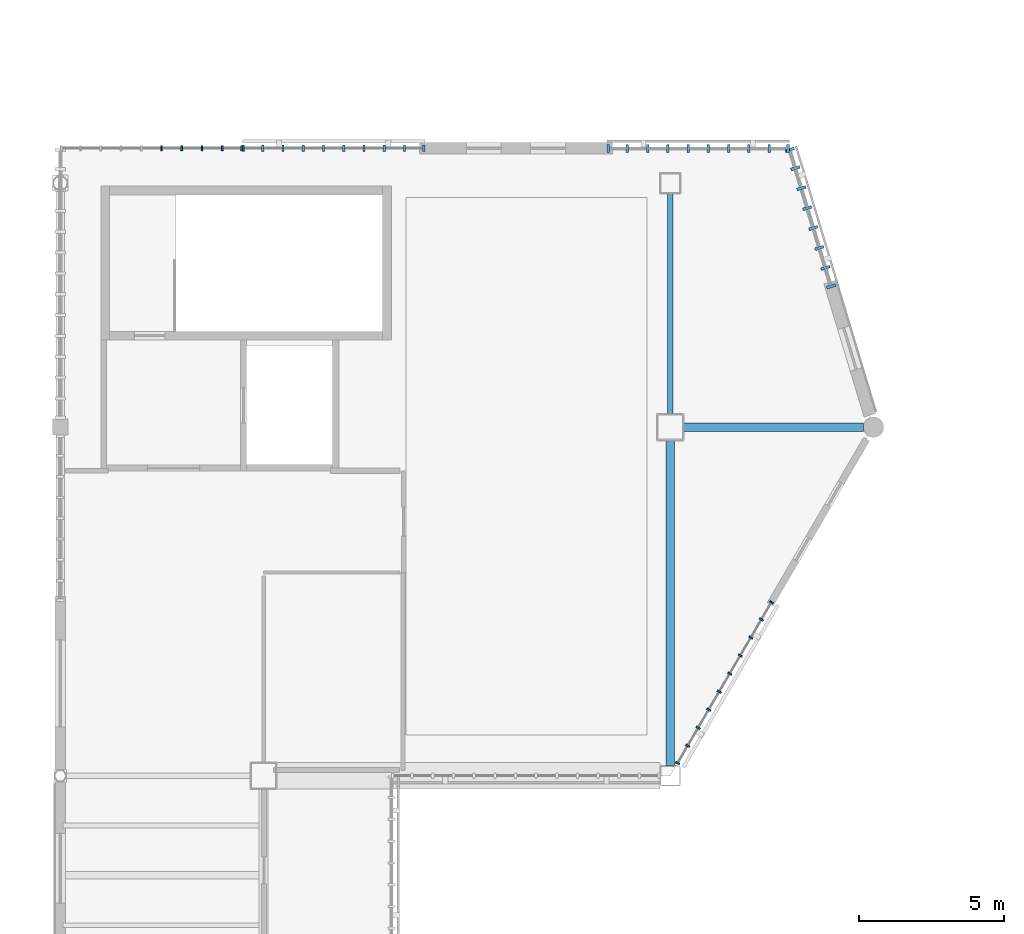
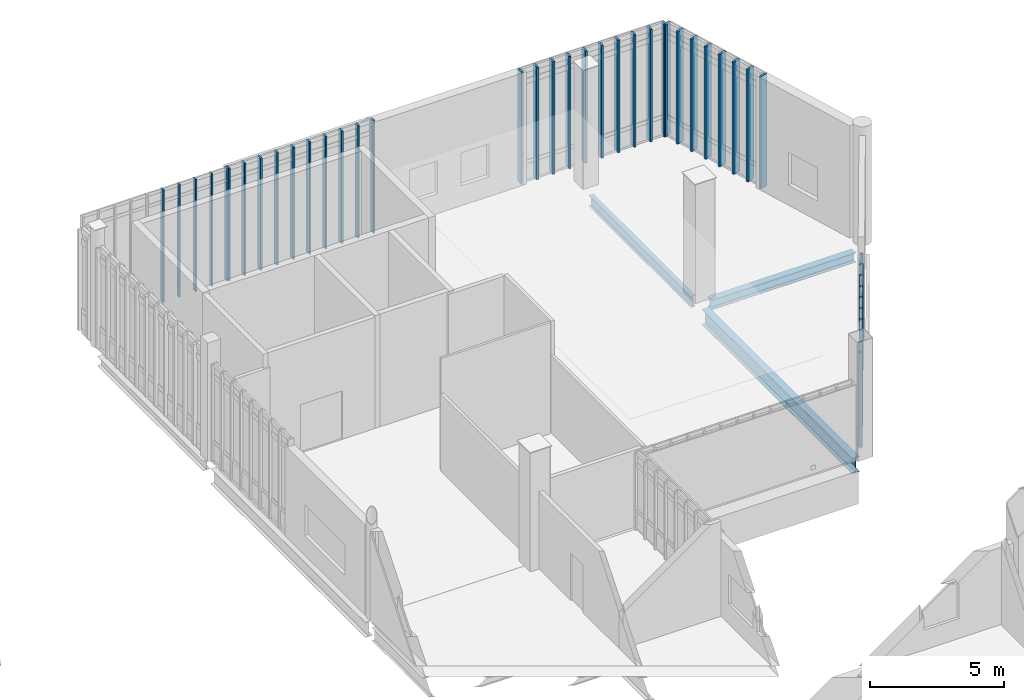
# One storey, part 42 of 135: 43 members, 3 beams, 5 elements without a shape of their own.
"""IFC4 building model written with IfcOpenShell, lengths in metres."""

from ifc_helpers import new_model, si_unit, direction, frame, origin, origin_2d, place, context, subcontext, project, spatial, rectangle, i_section, extrude, material, material_profile, profile_set, type_object, element, aggregate, save


model = new_model("IFC4")

# Units and contexts
model_context = context("Model", 3, precision=1e-05, world=origin(), true_north=direction((0.0, 1.0)))
body_context = subcontext(model_context, "Body", "Model", "MODEL_VIEW")
ifc_project = project(units=[si_unit("LENGTHUNIT", "METRE"), si_unit("AREAUNIT", "SQUARE_METRE"), si_unit("VOLUMEUNIT", "CUBIC_METRE"), si_unit("PLANEANGLEUNIT", "RADIAN"), si_unit("MASSUNIT", "GRAM", prefix="KILO")], contexts=[model_context])

# Site, building, storey
site_placement = place(None, origin())
site = spatial("IfcSite", under=ifc_project, at=site_placement, CompositionType="ELEMENT")
building_placement = place(site_placement, origin())
building = spatial("IfcBuilding", under=site, at=building_placement, Name="Larkvane Passage Sports Hall", CompositionType="ELEMENT")
storey_placement = place(building_placement, frame((0.0, 0.0, 16.800048828125)))
storey = spatial("IfcBuildingStorey", under=building, at=storey_placement, Name="L03", CompositionType="ELEMENT", Elevation=16.800048828125)

# Beams
ifc_material_1 = material(Name="Steel S355JR", Category="steel")
ifc_material_profile_1 = material_profile(ifc_material_1, i_section(OverallWidth=0.300048828125, OverallDepth=0.43994140625, WebThickness=0.010986328125, FlangeThickness=0.01806640625, FilletRadius=0.01806640625, at=origin_2d()), Name="H-440x300x11x18")
ifc_profile_set_1 = profile_set([ifc_material_profile_1], Name="Steel S355JR")
beam_type_1 = type_object("IfcBeamType", Name="BM-STL-H440", PredefinedType="BEAM", material=ifc_profile_set_1)
beam_1_placement = place(storey_placement, frame((146.050048828125, 75.60009765625, -0.56005859375), z_axis=(1.0, 0.0, 0.0), x_axis=(0.0, 1.0, 0.0)))
element("IfcBeam", 1, at=beam_1_placement, inside=storey, type_object=beam_type_1, Name="Girder BM5-X-L03-J-1004", PredefinedType="BEAM", context=body_context, shape_type="SweptSolid", body=[
    extrude(i_section(OverallWidth=0.300048828125, OverallDepth=0.43994140625, WebThickness=0.010986328125, FlangeThickness=0.01806640625, FilletRadius=0.01806640625, at=origin_2d()), origin(), (0.0, 0.0, 1.0), 6.199951171875),
])
ifc_material_2 = material(Name="Steel S460N", Category="steel")
ifc_material_profile_2 = material_profile(ifc_material_2, i_section(OverallWidth=0.300048828125, OverallDepth=0.699951171875, WebThickness=0.012939453125, FlangeThickness=0.02392578125, FilletRadius=0.02197265625, at=origin_2d()), Name="H-700x300x13x24")
ifc_profile_set_2 = profile_set([ifc_material_profile_2], Name="Steel S460N")
beam_type_2 = type_object("IfcBeamType", Name="BM-STL-H700", PredefinedType="BEAM", material=ifc_profile_set_2)
beam_2_placement = place(storey_placement, frame((145.60009765625, 63.949951171875, -0.68994140625), z_axis=(0.0, 1.0, 0.0), x_axis=(-1.0, 0.0, 0.0)))
element("IfcBeam", 2, at=beam_2_placement, inside=storey, type_object=beam_type_2, Name="Girder BM5-Y-L03-19-1051", PredefinedType="BEAM", context=body_context, shape_type="SweptSolid", body=[
    extrude(i_section(OverallWidth=0.300048828125, OverallDepth=0.699951171875, WebThickness=0.012939453125, FlangeThickness=0.02392578125, FilletRadius=0.02197265625, at=origin_2d()), origin(), (0.0, 0.0, 1.0), 11.199951171875),
])

# Curtain wall, members
ifc_material_3 = material(Name="Thermally broken aluminium and low-E glazing", Category="aluminium")
curtain_wall_type_1 = type_object("IfcCurtainWallType", Name="CW-CLINIC", PredefinedType="USERDEFINED", material=ifc_material_3)
curtain_wall_1_placement = place(storey_placement, origin())
curtain_wall_1 = element("IfcCurtainWall", 3, at=curtain_wall_1_placement, inside=storey, type_object=curtain_wall_type_1, Name="Curtain wall CW5-L03-107", ObjectType="UNITISED CURTAIN WALL", PredefinedType="USERDEFINED")
ifc_material_4 = material(Name="Anodised aluminium 6063-T6", Category="aluminium")
ifc_material_profile_3 = material_profile(ifc_material_4, rectangle(XDim=0.10009765625, YDim=0.320068359375, at=origin_2d()), Name="ALU-MUL-100x320")
ifc_profile_set_3 = profile_set([ifc_material_profile_3], Name="Anodised aluminium 6063-T6")
member_type_1 = type_object("IfcMemberType", Name="CW-MUL-100x320", PredefinedType="MULLION", material=ifc_profile_set_3)
member_1_placement = place(storey_placement, frame((149.71435546875, 85.152099609375, 0.0), z_axis=(0.0, 0.0, 1.0), x_axis=(0.289177016584, -0.957275641119, 0.0)))
member_1 = element("IfcMember", 4, at=member_1_placement, type_object=member_type_1, Name="CW-05 mullion 1", PredefinedType="MULLION", context=body_context, shape_type="SweptSolid", body=[
    extrude(rectangle(XDim=0.10009765625, YDim=0.320068359375, at=origin_2d()), origin(), (0.0, 0.0, 1.0), 5.099853515625),
])
member_2_placement = place(storey_placement, frame((149.9072265625, 84.514404296875, 0.0), z_axis=(0.0, 0.0, 1.0), x_axis=(0.289177016584, -0.957275641119, 0.0)))
member_2 = element("IfcMember", 5, at=member_2_placement, type_object=member_type_1, Name="CW-05 mullion 2", PredefinedType="MULLION", context=body_context, shape_type="SweptSolid", body=[
    extrude(rectangle(XDim=0.10009765625, YDim=0.320068359375, at=origin_2d()), origin(), (0.0, 0.0, 1.0), 5.099853515625),
])
member_3_placement = place(storey_placement, frame((150.1142578125, 83.82861328125, 0.0), z_axis=(0.0, 0.0, 1.0), x_axis=(0.289177016584, -0.957275641119, 0.0)))
member_3 = element("IfcMember", 6, at=member_3_placement, type_object=member_type_1, Name="CW-05 mullion 3", PredefinedType="MULLION", context=body_context, shape_type="SweptSolid", body=[
    extrude(rectangle(XDim=0.10009765625, YDim=0.320068359375, at=origin_2d()), origin(), (0.0, 0.0, 1.0), 5.099853515625),
])
member_4_placement = place(storey_placement, frame((150.321533203125, 83.142822265625, 0.0), z_axis=(0.0, 0.0, 1.0), x_axis=(0.289177016584, -0.957275641119, 0.0)))
member_4 = element("IfcMember", 7, at=member_4_placement, type_object=member_type_1, Name="CW-05 mullion 4", PredefinedType="MULLION", context=body_context, shape_type="SweptSolid", body=[
    extrude(rectangle(XDim=0.10009765625, YDim=0.320068359375, at=origin_2d()), origin(), (0.0, 0.0, 1.0), 5.099853515625),
])
member_5_placement = place(storey_placement, frame((150.528564453125, 82.45703125, 0.0), z_axis=(0.0, 0.0, 1.0), x_axis=(0.289177016584, -0.957275641119, 0.0)))
member_5 = element("IfcMember", 8, at=member_5_placement, type_object=member_type_1, Name="CW-05 mullion 5", PredefinedType="MULLION", context=body_context, shape_type="SweptSolid", body=[
    extrude(rectangle(XDim=0.10009765625, YDim=0.320068359375, at=origin_2d()), origin(), (0.0, 0.0, 1.0), 5.099853515625),
])
member_6_placement = place(storey_placement, frame((150.735595703125, 81.771484375, 0.0), z_axis=(0.0, 0.0, 1.0), x_axis=(0.289177016584, -0.957275641119, 0.0)))
member_6 = element("IfcMember", 9, at=member_6_placement, type_object=member_type_1, Name="CW-05 mullion 6", PredefinedType="MULLION", context=body_context, shape_type="SweptSolid", body=[
    extrude(rectangle(XDim=0.10009765625, YDim=0.320068359375, at=origin_2d()), origin(), (0.0, 0.0, 1.0), 5.099853515625),
])
member_7_placement = place(storey_placement, frame((150.94287109375, 81.085693359375, 0.0), z_axis=(0.0, 0.0, 1.0), x_axis=(0.289177016584, -0.957275641119, 0.0)))
member_7 = element("IfcMember", 10, at=member_7_placement, type_object=member_type_1, Name="CW-05 mullion 7", PredefinedType="MULLION", context=body_context, shape_type="SweptSolid", body=[
    extrude(rectangle(XDim=0.10009765625, YDim=0.320068359375, at=origin_2d()), origin(), (0.0, 0.0, 1.0), 5.099853515625),
])
member_8_placement = place(storey_placement, frame((151.135498046875, 80.44775390625, 0.0), z_axis=(0.0, 0.0, 1.0), x_axis=(0.289177016584, -0.957275641119, 0.0)))
member_8 = element("IfcMember", 11, at=member_8_placement, type_object=member_type_1, Name="CW-05 mullion 8", PredefinedType="MULLION", context=body_context, shape_type="SweptSolid", body=[
    extrude(rectangle(XDim=0.10009765625, YDim=0.320068359375, at=origin_2d()), origin(), (0.0, 0.0, 1.0), 5.099853515625),
])
aggregate(curtain_wall_1, [member_1, member_2, member_3, member_4, member_5, member_6, member_7, member_8])

curtain_wall_type_2 = type_object("IfcCurtainWallType", Name="CW-UNIT-COURT", PredefinedType="USERDEFINED", material=ifc_material_3)
curtain_wall_2_placement = place(storey_placement, origin())
curtain_wall_2 = element("IfcCurtainWall", 12, at=curtain_wall_2_placement, inside=storey, type_object=curtain_wall_type_2, Name="Curtain wall CW5-L03-108", ObjectType="UNITISED CURTAIN WALL", PredefinedType="USERDEFINED")
ifc_material_profile_4 = material_profile(ifc_material_4, rectangle(XDim=0.06005859375, YDim=0.14990234375, at=origin_2d()), Name="ALU-MUL-60x150")
ifc_profile_set_4 = profile_set([ifc_material_profile_4], Name="Anodised aluminium 6063-T6")
member_type_2 = type_object("IfcMemberType", Name="CW-MUL-60x150", PredefinedType="MULLION", material=ifc_profile_set_4)
member_9_placement = place(storey_placement, frame((149.0849609375, 69.573974609375, 0.0), z_axis=(0.0, 0.0, 1.0), x_axis=(-0.503867182467, -0.86378114267, 0.0)))
member_9 = element("IfcMember", 13, at=member_9_placement, type_object=member_type_2, Name="CW-01 mullion 1", PredefinedType="MULLION", context=body_context, shape_type="SweptSolid", body=[
    extrude(rectangle(XDim=0.06005859375, YDim=0.14990234375, at=origin_2d()), origin(), (0.0, 0.0, 1.0), 4.307861328125),
])
member_10_placement = place(storey_placement, frame((148.73779296875, 68.97900390625, 0.0), z_axis=(0.0, 0.0, 1.0), x_axis=(-0.503867182467, -0.86378114267, 0.0)))
member_10 = element("IfcMember", 14, at=member_10_placement, type_object=member_type_2, Name="CW-01 mullion 2", PredefinedType="MULLION", context=body_context, shape_type="SweptSolid", body=[
    extrude(rectangle(XDim=0.06005859375, YDim=0.14990234375, at=origin_2d()), origin(), (0.0, 0.0, 1.0), 4.307861328125),
])
member_11_placement = place(storey_placement, frame((148.37548828125, 68.357666015625, 0.0), z_axis=(0.0, 0.0, 1.0), x_axis=(-0.503867182467, -0.86378114267, 0.0)))
member_11 = element("IfcMember", 15, at=member_11_placement, type_object=member_type_2, Name="CW-01 mullion 3", PredefinedType="MULLION", context=body_context, shape_type="SweptSolid", body=[
    extrude(rectangle(XDim=0.06005859375, YDim=0.14990234375, at=origin_2d()), origin(), (0.0, 0.0, 1.0), 4.307861328125),
])
member_12_placement = place(storey_placement, frame((148.01318359375, 67.736572265625, 0.0), z_axis=(0.0, 0.0, 1.0), x_axis=(-0.503867182467, -0.86378114267, 0.0)))
member_12 = element("IfcMember", 16, at=member_12_placement, type_object=member_type_2, Name="CW-01 mullion 4", PredefinedType="MULLION", context=body_context, shape_type="SweptSolid", body=[
    extrude(rectangle(XDim=0.06005859375, YDim=0.14990234375, at=origin_2d()), origin(), (0.0, 0.0, 1.0), 4.307861328125),
])
member_13_placement = place(storey_placement, frame((147.650634765625, 67.115478515625, 0.0), z_axis=(0.0, 0.0, 1.0), x_axis=(-0.503867182467, -0.86378114267, 0.0)))
member_13 = element("IfcMember", 17, at=member_13_placement, type_object=member_type_2, Name="CW-01 mullion 5", PredefinedType="MULLION", context=body_context, shape_type="SweptSolid", body=[
    extrude(rectangle(XDim=0.06005859375, YDim=0.14990234375, at=origin_2d()), origin(), (0.0, 0.0, 1.0), 4.307861328125),
])
member_14_placement = place(storey_placement, frame((147.288330078125, 66.494384765625, 0.0), z_axis=(0.0, 0.0, 1.0), x_axis=(-0.503867182467, -0.86378114267, 0.0)))
member_14 = element("IfcMember", 18, at=member_14_placement, type_object=member_type_2, Name="CW-01 mullion 6", PredefinedType="MULLION", context=body_context, shape_type="SweptSolid", body=[
    extrude(rectangle(XDim=0.06005859375, YDim=0.14990234375, at=origin_2d()), origin(), (0.0, 0.0, 1.0), 4.307861328125),
])
member_15_placement = place(storey_placement, frame((146.926025390625, 65.873291015625, 0.0), z_axis=(0.0, 0.0, 1.0), x_axis=(-0.503867182467, -0.86378114267, 0.0)))
member_15 = element("IfcMember", 19, at=member_15_placement, type_object=member_type_2, Name="CW-01 mullion 7", PredefinedType="MULLION", context=body_context, shape_type="SweptSolid", body=[
    extrude(rectangle(XDim=0.06005859375, YDim=0.14990234375, at=origin_2d()), origin(), (0.0, 0.0, 1.0), 4.307861328125),
])
member_16_placement = place(storey_placement, frame((146.563720703125, 65.252197265625, 0.0), z_axis=(0.0, 0.0, 1.0), x_axis=(-0.503867182467, -0.86378114267, 0.0)))
member_16 = element("IfcMember", 20, at=member_16_placement, type_object=member_type_2, Name="CW-01 mullion 8", PredefinedType="MULLION", context=body_context, shape_type="SweptSolid", body=[
    extrude(rectangle(XDim=0.06005859375, YDim=0.14990234375, at=origin_2d()), origin(), (0.0, 0.0, 1.0), 4.307861328125),
])
member_17_placement = place(storey_placement, frame((146.201416015625, 64.631103515625, 0.0), z_axis=(0.0, 0.0, 1.0), x_axis=(-0.503867182467, -0.86378114267, 0.0)))
member_17 = element("IfcMember", 21, at=member_17_placement, type_object=member_type_2, Name="CW-01 mullion 9", PredefinedType="MULLION", context=body_context, shape_type="SweptSolid", body=[
    extrude(rectangle(XDim=0.06005859375, YDim=0.14990234375, at=origin_2d()), origin(), (0.0, 0.0, 1.0), 4.307861328125),
])
member_18_placement = place(storey_placement, frame((145.854248046875, 64.035888671875, 0.0), z_axis=(0.0, 0.0, 1.0), x_axis=(-0.503867182467, -0.86378114267, 0.0)))
member_18 = element("IfcMember", 22, at=member_18_placement, type_object=member_type_2, Name="CW-01 mullion 10", PredefinedType="MULLION", context=body_context, shape_type="SweptSolid", body=[
    extrude(rectangle(XDim=0.06005859375, YDim=0.14990234375, at=origin_2d()), origin(), (0.0, 0.0, 1.0), 4.307861328125),
])
aggregate(curtain_wall_2, [member_9, member_10, member_11, member_12, member_13, member_14, member_15, member_16, member_17, member_18])

curtain_wall_3_placement = place(storey_placement, origin())
curtain_wall_3 = element("IfcCurtainWall", 23, at=curtain_wall_3_placement, inside=storey, type_object=curtain_wall_type_2, Name="Curtain wall CW5-L03-104", ObjectType="UNITISED CURTAIN WALL", PredefinedType="USERDEFINED")
ifc_material_profile_5 = material_profile(ifc_material_4, rectangle(XDim=0.06494140625, YDim=0.179931640625, at=origin_2d()), Name="ALU-MUL-65x180")
ifc_profile_set_5 = profile_set([ifc_material_profile_5], Name="Anodised aluminium 6063-T6")
member_type_3 = type_object("IfcMemberType", Name="CW-MUL-65x180", PredefinedType="MULLION", material=ifc_profile_set_5)
member_19_placement = place(storey_placement, frame((128.086181640625, 85.199951171875, 0.0), z_axis=(0.0, 0.0, 1.0), x_axis=(1.0, 0.0, 0.0)))
member_19 = element("IfcMember", 24, at=member_19_placement, type_object=member_type_3, Name="CW-01 mullion 6", PredefinedType="MULLION", context=body_context, shape_type="SweptSolid", body=[
    extrude(rectangle(XDim=0.06494140625, YDim=0.179931640625, at=origin_2d()), origin(), (0.0, 0.0, 1.0), 5.099853515625),
])
member_20_placement = place(storey_placement, frame((128.783447265625, 85.199951171875, 0.0), z_axis=(0.0, 0.0, 1.0), x_axis=(1.0, 0.0, 0.0)))
member_20 = element("IfcMember", 25, at=member_20_placement, type_object=member_type_3, Name="CW-01 mullion 7", PredefinedType="MULLION", context=body_context, shape_type="SweptSolid", body=[
    extrude(rectangle(XDim=0.06494140625, YDim=0.179931640625, at=origin_2d()), origin(), (0.0, 0.0, 1.0), 5.099853515625),
])
member_21_placement = place(storey_placement, frame((129.48046875, 85.199951171875, 0.0), z_axis=(0.0, 0.0, 1.0), x_axis=(1.0, 0.0, 0.0)))
member_21 = element("IfcMember", 26, at=member_21_placement, type_object=member_type_3, Name="CW-01 mullion 8", PredefinedType="MULLION", context=body_context, shape_type="SweptSolid", body=[
    extrude(rectangle(XDim=0.06494140625, YDim=0.179931640625, at=origin_2d()), origin(), (0.0, 0.0, 1.0), 5.099853515625),
])
member_22_placement = place(storey_placement, frame((130.177734375, 85.199951171875, 0.0), z_axis=(0.0, 0.0, 1.0), x_axis=(1.0, 0.0, 0.0)))
member_22 = element("IfcMember", 27, at=member_22_placement, type_object=member_type_3, Name="CW-01 mullion 9", PredefinedType="MULLION", context=body_context, shape_type="SweptSolid", body=[
    extrude(rectangle(XDim=0.06494140625, YDim=0.179931640625, at=origin_2d()), origin(), (0.0, 0.0, 1.0), 5.099853515625),
])
member_23_placement = place(storey_placement, frame((130.842529296875, 85.199951171875, 0.0), z_axis=(0.0, 0.0, 1.0), x_axis=(1.0, 0.0, 0.0)))
member_23 = element("IfcMember", 28, at=member_23_placement, type_object=member_type_3, Name="CW-01 mullion 10", PredefinedType="MULLION", context=body_context, shape_type="SweptSolid", body=[
    extrude(rectangle(XDim=0.06494140625, YDim=0.179931640625, at=origin_2d()), origin(), (0.0, 0.0, 1.0), 5.099853515625),
])
aggregate(curtain_wall_3, [member_19, member_20, member_21, member_22, member_23])

curtain_wall_type_3 = type_object("IfcCurtainWallType", Name="CW-UNIT-VEIL", PredefinedType="USERDEFINED", material=ifc_material_3)
curtain_wall_4_placement = place(storey_placement, origin())
curtain_wall_4 = element("IfcCurtainWall", 29, at=curtain_wall_4_placement, inside=storey, type_object=curtain_wall_type_3, Name="Curtain wall CW5-L03-105", ObjectType="UNITISED CURTAIN WALL", PredefinedType="USERDEFINED")
ifc_material_profile_6 = material_profile(ifc_material_4, rectangle(XDim=0.074951171875, YDim=0.22509765625, at=origin_2d()), Name="ALU-MUL-75x225")
ifc_profile_set_6 = profile_set([ifc_material_profile_6], Name="Anodised aluminium 6063-T6")
member_type_4 = type_object("IfcMemberType", Name="CW-MUL-75x225", PredefinedType="MULLION", material=ifc_profile_set_6)
member_24_placement = place(storey_placement, frame((130.91259765625, 85.199951171875, 0.0), z_axis=(0.0, 0.0, 1.0), x_axis=(1.0, 0.0, 0.0)))
member_24 = element("IfcMember", 30, at=member_24_placement, type_object=member_type_4, Name="CW-02 mullion 1", PredefinedType="MULLION", context=body_context, shape_type="SweptSolid", body=[
    extrude(rectangle(XDim=0.074951171875, YDim=0.22509765625, at=origin_2d()), origin(), (0.0, 0.0, 1.0), 5.099853515625),
])
member_25_placement = place(storey_placement, frame((131.572265625, 85.199951171875, 0.0), z_axis=(0.0, 0.0, 1.0), x_axis=(1.0, 0.0, 0.0)))
member_25 = element("IfcMember", 31, at=member_25_placement, type_object=member_type_4, Name="CW-02 mullion 2", PredefinedType="MULLION", context=body_context, shape_type="SweptSolid", body=[
    extrude(rectangle(XDim=0.074951171875, YDim=0.22509765625, at=origin_2d()), origin(), (0.0, 0.0, 1.0), 5.099853515625),
])
member_26_placement = place(storey_placement, frame((132.26953125, 85.199951171875, 0.0), z_axis=(0.0, 0.0, 1.0), x_axis=(1.0, 0.0, 0.0)))
member_26 = element("IfcMember", 32, at=member_26_placement, type_object=member_type_4, Name="CW-02 mullion 3", PredefinedType="MULLION", context=body_context, shape_type="SweptSolid", body=[
    extrude(rectangle(XDim=0.074951171875, YDim=0.22509765625, at=origin_2d()), origin(), (0.0, 0.0, 1.0), 5.099853515625),
])
member_27_placement = place(storey_placement, frame((132.966552734375, 85.199951171875, 0.0), z_axis=(0.0, 0.0, 1.0), x_axis=(1.0, 0.0, 0.0)))
member_27 = element("IfcMember", 33, at=member_27_placement, type_object=member_type_4, Name="CW-02 mullion 4", PredefinedType="MULLION", context=body_context, shape_type="SweptSolid", body=[
    extrude(rectangle(XDim=0.074951171875, YDim=0.22509765625, at=origin_2d()), origin(), (0.0, 0.0, 1.0), 5.099853515625),
])
member_28_placement = place(storey_placement, frame((133.663818359375, 85.199951171875, 0.0), z_axis=(0.0, 0.0, 1.0), x_axis=(1.0, 0.0, 0.0)))
member_28 = element("IfcMember", 34, at=member_28_placement, type_object=member_type_4, Name="CW-02 mullion 5", PredefinedType="MULLION", context=body_context, shape_type="SweptSolid", body=[
    extrude(rectangle(XDim=0.074951171875, YDim=0.22509765625, at=origin_2d()), origin(), (0.0, 0.0, 1.0), 5.099853515625),
])
member_29_placement = place(storey_placement, frame((134.361083984375, 85.199951171875, 0.0), z_axis=(0.0, 0.0, 1.0), x_axis=(1.0, 0.0, 0.0)))
member_29 = element("IfcMember", 35, at=member_29_placement, type_object=member_type_4, Name="CW-02 mullion 6", PredefinedType="MULLION", context=body_context, shape_type="SweptSolid", body=[
    extrude(rectangle(XDim=0.074951171875, YDim=0.22509765625, at=origin_2d()), origin(), (0.0, 0.0, 1.0), 5.099853515625),
])
member_30_placement = place(storey_placement, frame((135.058349609375, 85.199951171875, 0.0), z_axis=(0.0, 0.0, 1.0), x_axis=(1.0, 0.0, 0.0)))
member_30 = element("IfcMember", 36, at=member_30_placement, type_object=member_type_4, Name="CW-02 mullion 7", PredefinedType="MULLION", context=body_context, shape_type="SweptSolid", body=[
    extrude(rectangle(XDim=0.074951171875, YDim=0.22509765625, at=origin_2d()), origin(), (0.0, 0.0, 1.0), 5.099853515625),
])
member_31_placement = place(storey_placement, frame((135.755615234375, 85.199951171875, 0.0), z_axis=(0.0, 0.0, 1.0), x_axis=(1.0, 0.0, 0.0)))
member_31 = element("IfcMember", 37, at=member_31_placement, type_object=member_type_4, Name="CW-02 mullion 8", PredefinedType="MULLION", context=body_context, shape_type="SweptSolid", body=[
    extrude(rectangle(XDim=0.074951171875, YDim=0.22509765625, at=origin_2d()), origin(), (0.0, 0.0, 1.0), 5.099853515625),
])
member_32_placement = place(storey_placement, frame((136.452880859375, 85.199951171875, 0.0), z_axis=(0.0, 0.0, 1.0), x_axis=(1.0, 0.0, 0.0)))
member_32 = element("IfcMember", 38, at=member_32_placement, type_object=member_type_4, Name="CW-02 mullion 9", PredefinedType="MULLION", context=body_context, shape_type="SweptSolid", body=[
    extrude(rectangle(XDim=0.074951171875, YDim=0.22509765625, at=origin_2d()), origin(), (0.0, 0.0, 1.0), 5.099853515625),
])
member_33_placement = place(storey_placement, frame((137.112548828125, 85.199951171875, 0.0), z_axis=(0.0, 0.0, 1.0), x_axis=(1.0, 0.0, 0.0)))
member_33 = element("IfcMember", 39, at=member_33_placement, type_object=member_type_4, Name="CW-02 mullion 10", PredefinedType="MULLION", context=body_context, shape_type="SweptSolid", body=[
    extrude(rectangle(XDim=0.074951171875, YDim=0.22509765625, at=origin_2d()), origin(), (0.0, 0.0, 1.0), 5.099853515625),
])
aggregate(curtain_wall_4, [member_24, member_25, member_26, member_27, member_28, member_29, member_30, member_31, member_32, member_33])

curtain_wall_type_4 = type_object("IfcCurtainWallType", Name="CW-STICK-FOYER", PredefinedType="USERDEFINED", material=ifc_material_3)
curtain_wall_5_placement = place(storey_placement, origin())
curtain_wall_5 = element("IfcCurtainWall", 40, at=curtain_wall_5_placement, inside=storey, type_object=curtain_wall_type_4, Name="Curtain wall CW5-L03-106", ObjectType="STICK CURTAIN WALL", PredefinedType="USERDEFINED")
ifc_material_profile_7 = material_profile(ifc_material_4, rectangle(XDim=0.090087890625, YDim=0.280029296875, at=origin_2d()), Name="ALU-MUL-90x280")
ifc_profile_set_7 = profile_set([ifc_material_profile_7], Name="Anodised aluminium 6063-T6")
member_type_5 = type_object("IfcMemberType", Name="CW-MUL-90x280", PredefinedType="MULLION", material=ifc_profile_set_7)
member_34_placement = place(storey_placement, frame((143.469970703125, 85.199951171875, 0.0), z_axis=(0.0, 0.0, 1.0), x_axis=(1.0, 0.0, 0.0)))
member_34 = element("IfcMember", 41, at=member_34_placement, type_object=member_type_5, Name="CW-03 mullion 1", PredefinedType="MULLION", context=body_context, shape_type="SweptSolid", body=[
    extrude(rectangle(XDim=0.090087890625, YDim=0.280029296875, at=origin_2d()), origin(), (0.0, 0.0, 1.0), 5.099853515625),
])
member_35_placement = place(storey_placement, frame((144.122314453125, 85.199951171875, 0.0), z_axis=(0.0, 0.0, 1.0), x_axis=(1.0, 0.0, 0.0)))
member_35 = element("IfcMember", 42, at=member_35_placement, type_object=member_type_5, Name="CW-03 mullion 2", PredefinedType="MULLION", context=body_context, shape_type="SweptSolid", body=[
    extrude(rectangle(XDim=0.090087890625, YDim=0.280029296875, at=origin_2d()), origin(), (0.0, 0.0, 1.0), 5.099853515625),
])
member_36_placement = place(storey_placement, frame((144.8193359375, 85.199951171875, 0.0), z_axis=(0.0, 0.0, 1.0), x_axis=(1.0, 0.0, 0.0)))
member_36 = element("IfcMember", 43, at=member_36_placement, type_object=member_type_5, Name="CW-03 mullion 3", PredefinedType="MULLION", context=body_context, shape_type="SweptSolid", body=[
    extrude(rectangle(XDim=0.090087890625, YDim=0.280029296875, at=origin_2d()), origin(), (0.0, 0.0, 1.0), 5.099853515625),
])
member_37_placement = place(storey_placement, frame((145.5166015625, 85.199951171875, 0.0), z_axis=(0.0, 0.0, 1.0), x_axis=(1.0, 0.0, 0.0)))
member_37 = element("IfcMember", 44, at=member_37_placement, type_object=member_type_5, Name="CW-03 mullion 4", PredefinedType="MULLION", context=body_context, shape_type="SweptSolid", body=[
    extrude(rectangle(XDim=0.090087890625, YDim=0.280029296875, at=origin_2d()), origin(), (0.0, 0.0, 1.0), 5.099853515625),
])
member_38_placement = place(storey_placement, frame((146.2138671875, 85.199951171875, 0.0), z_axis=(0.0, 0.0, 1.0), x_axis=(1.0, 0.0, 0.0)))
member_38 = element("IfcMember", 45, at=member_38_placement, type_object=member_type_5, Name="CW-03 mullion 5", PredefinedType="MULLION", context=body_context, shape_type="SweptSolid", body=[
    extrude(rectangle(XDim=0.090087890625, YDim=0.280029296875, at=origin_2d()), origin(), (0.0, 0.0, 1.0), 5.099853515625),
])
member_39_placement = place(storey_placement, frame((146.9111328125, 85.199951171875, 0.0), z_axis=(0.0, 0.0, 1.0), x_axis=(1.0, 0.0, 0.0)))
member_39 = element("IfcMember", 46, at=member_39_placement, type_object=member_type_5, Name="CW-03 mullion 6", PredefinedType="MULLION", context=body_context, shape_type="SweptSolid", body=[
    extrude(rectangle(XDim=0.090087890625, YDim=0.280029296875, at=origin_2d()), origin(), (0.0, 0.0, 1.0), 5.099853515625),
])
member_40_placement = place(storey_placement, frame((147.6083984375, 85.199951171875, 0.0), z_axis=(0.0, 0.0, 1.0), x_axis=(1.0, 0.0, 0.0)))
member_40 = element("IfcMember", 47, at=member_40_placement, type_object=member_type_5, Name="CW-03 mullion 7", PredefinedType="MULLION", context=body_context, shape_type="SweptSolid", body=[
    extrude(rectangle(XDim=0.090087890625, YDim=0.280029296875, at=origin_2d()), origin(), (0.0, 0.0, 1.0), 5.099853515625),
])
member_41_placement = place(storey_placement, frame((148.3056640625, 85.199951171875, 0.0), z_axis=(0.0, 0.0, 1.0), x_axis=(1.0, 0.0, 0.0)))
member_41 = element("IfcMember", 48, at=member_41_placement, type_object=member_type_5, Name="CW-03 mullion 8", PredefinedType="MULLION", context=body_context, shape_type="SweptSolid", body=[
    extrude(rectangle(XDim=0.090087890625, YDim=0.280029296875, at=origin_2d()), origin(), (0.0, 0.0, 1.0), 5.099853515625),
])
member_42_placement = place(storey_placement, frame((149.002685546875, 85.199951171875, 0.0), z_axis=(0.0, 0.0, 1.0), x_axis=(1.0, 0.0, 0.0)))
member_42 = element("IfcMember", 49, at=member_42_placement, type_object=member_type_5, Name="CW-03 mullion 9", PredefinedType="MULLION", context=body_context, shape_type="SweptSolid", body=[
    extrude(rectangle(XDim=0.090087890625, YDim=0.280029296875, at=origin_2d()), origin(), (0.0, 0.0, 1.0), 5.099853515625),
])
member_43_placement = place(storey_placement, frame((149.655029296875, 85.199951171875, 0.0), z_axis=(0.0, 0.0, 1.0), x_axis=(1.0, 0.0, 0.0)))
member_43 = element("IfcMember", 50, at=member_43_placement, type_object=member_type_5, Name="CW-03 mullion 10", PredefinedType="MULLION", context=body_context, shape_type="SweptSolid", body=[
    extrude(rectangle(XDim=0.090087890625, YDim=0.280029296875, at=origin_2d()), origin(), (0.0, 0.0, 1.0), 5.099853515625),
])
aggregate(curtain_wall_5, [member_34, member_35, member_36, member_37, member_38, member_39, member_40, member_41, member_42, member_43])

# Beam
ifc_material_profile_8 = material_profile(ifc_material_1, i_section(OverallWidth=0.199951171875, OverallDepth=0.5, WebThickness=0.010009765625, FlangeThickness=0.01611328125, FilletRadius=0.01806640625, at=origin_2d()), Name="H-500x200x10x16")
ifc_profile_set_8 = profile_set([ifc_material_profile_8], Name="Steel S355JR")
beam_type_3 = type_object("IfcBeamType", Name="SP-STL-H500", PredefinedType="SPANDREL", material=ifc_profile_set_8)
beam_3_placement = place(storey_placement, frame((145.60009765625, 76.050048828125, -0.590087890625), z_axis=(0.0, 1.0, 0.0), x_axis=(-1.0, 0.0, 0.0)))
element("IfcBeam", 51, at=beam_3_placement, inside=storey, type_object=beam_type_3, Name="Girder BM5-Y-L03-19-1052", PredefinedType="SPANDREL", context=body_context, shape_type="SweptSolid", body=[
    extrude(i_section(OverallWidth=0.199951171875, OverallDepth=0.5, WebThickness=0.010009765625, FlangeThickness=0.01611328125, FilletRadius=0.01806640625, at=origin_2d()), origin(), (0.0, 0.0, 1.0), 7.599853515625),
])

save(model, "model.ifc")
